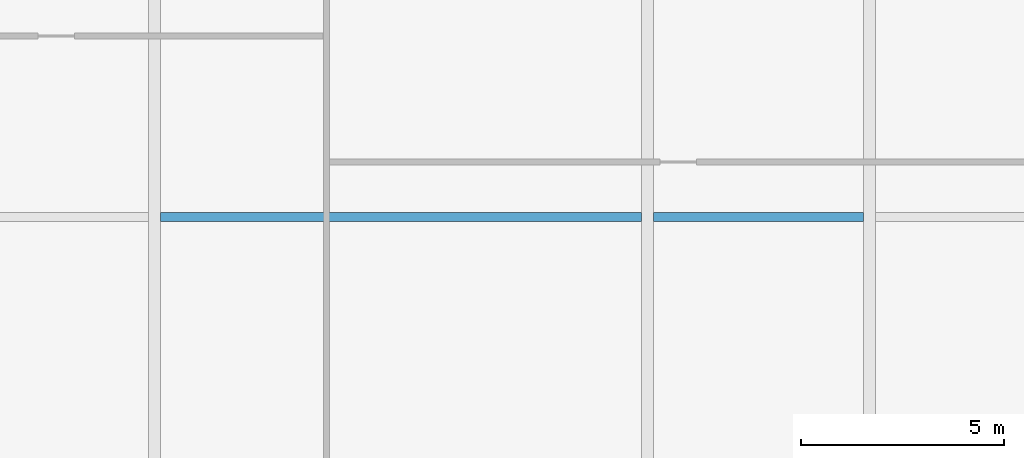
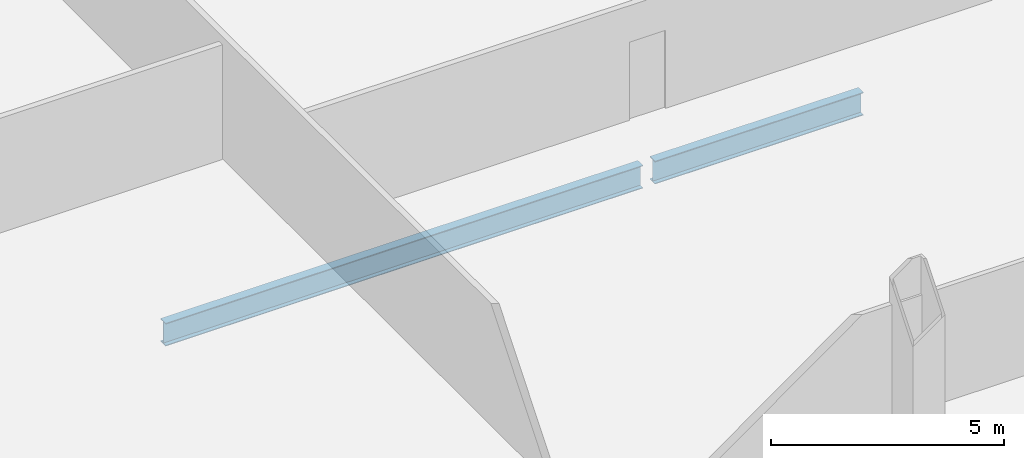
# One storey, part 13 of 36: 2 beams.
"""IFC4 building model written with IfcOpenShell, lengths in metres."""

from ifc_helpers import new_model, si_unit, direction, frame, origin, origin_2d, place, context, subcontext, project, spatial, i_section, extrude, material, material_profile, profile_set, type_object, element, save


model = new_model("IFC4")

# Units and contexts
model_context = context("Model", 3, precision=1e-05, world=origin(), true_north=direction((0.0, 1.0)))
body_context = subcontext(model_context, "Body", "Model", "MODEL_VIEW")
ifc_project = project(units=[si_unit("LENGTHUNIT", "METRE"), si_unit("AREAUNIT", "SQUARE_METRE"), si_unit("VOLUMEUNIT", "CUBIC_METRE"), si_unit("PLANEANGLEUNIT", "RADIAN"), si_unit("MASSUNIT", "GRAM", prefix="KILO")], contexts=[model_context])

# Site, building, storey
site_placement = place(None, origin())
site = spatial("IfcSite", under=ifc_project, at=site_placement, CompositionType="ELEMENT")
building_placement = place(site_placement, origin())
building = spatial("IfcBuilding", under=site, at=building_placement, Name="Khoronbel Lancet Exchange", CompositionType="ELEMENT")
storey_placement = place(building_placement, frame((0.0, 0.0, 57.800048828125)))
storey = spatial("IfcBuildingStorey", under=building, at=storey_placement, Name="L13", CompositionType="ELEMENT", Elevation=57.800048828125)

# Beams
ifc_material = material(Name="Steel S355", Category="steel")
ifc_material_profile = material_profile(ifc_material, i_section(OverallWidth=0.219970703125, OverallDepth=0.60009765625, WebThickness=0.011962890625, FlangeThickness=0.01904296875, at=origin_2d()), Name="IPE 600")
ifc_profile_set = profile_set([ifc_material_profile], Name="Steel S355")
beam_type = type_object("IfcBeamType", Name="BM-BJ1", PredefinedType="JOIST", material=ifc_profile_set)
beam_1_placement = place(storey_placement, frame((30.52490234375, 21.800048828125, -0.47998046875), z_axis=(1.0, 0.0, 0.0), x_axis=(0.0, 1.0, 0.0)))
element("IfcBeam", 1, at=beam_1_placement, inside=storey, type_object=beam_type, Name="Level L13 secondary composite joist J08", PredefinedType="JOIST", context=body_context, shape_type="SweptSolid", body=[
    extrude(i_section(OverallWidth=0.219970703125, OverallDepth=0.60009765625, WebThickness=0.011962890625, FlangeThickness=0.01904296875, at=origin_2d()), origin(), (0.0, 0.0, 1.0), 11.85009765625),
])
beam_2_placement = place(storey_placement, frame((42.675048828125, 21.800048828125, -0.47998046875), z_axis=(1.0, 0.0, 0.0), x_axis=(0.0, 1.0, 0.0)))
element("IfcBeam", 2, at=beam_2_placement, inside=storey, type_object=beam_type, Name="Level L13 secondary composite joist J09", PredefinedType="JOIST", context=body_context, shape_type="SweptSolid", body=[
    extrude(i_section(OverallWidth=0.219970703125, OverallDepth=0.60009765625, WebThickness=0.011962890625, FlangeThickness=0.01904296875, at=origin_2d()), origin(), (0.0, 0.0, 1.0), 5.175048828125),
])

save(model, "model.ifc")
